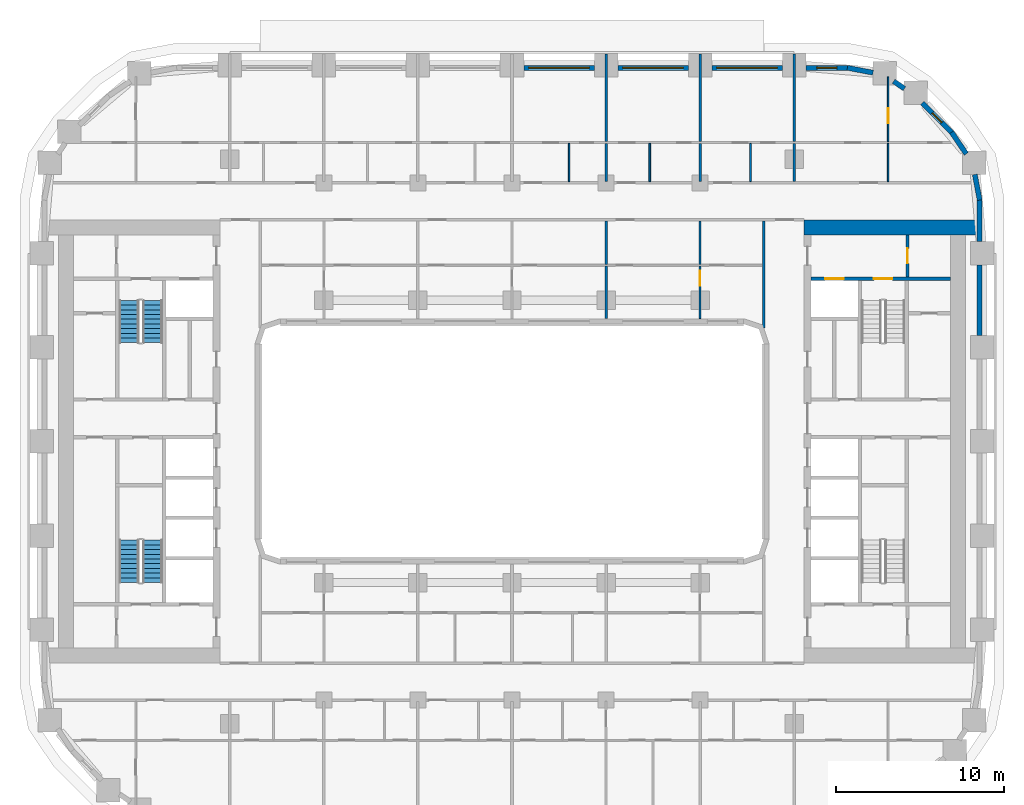
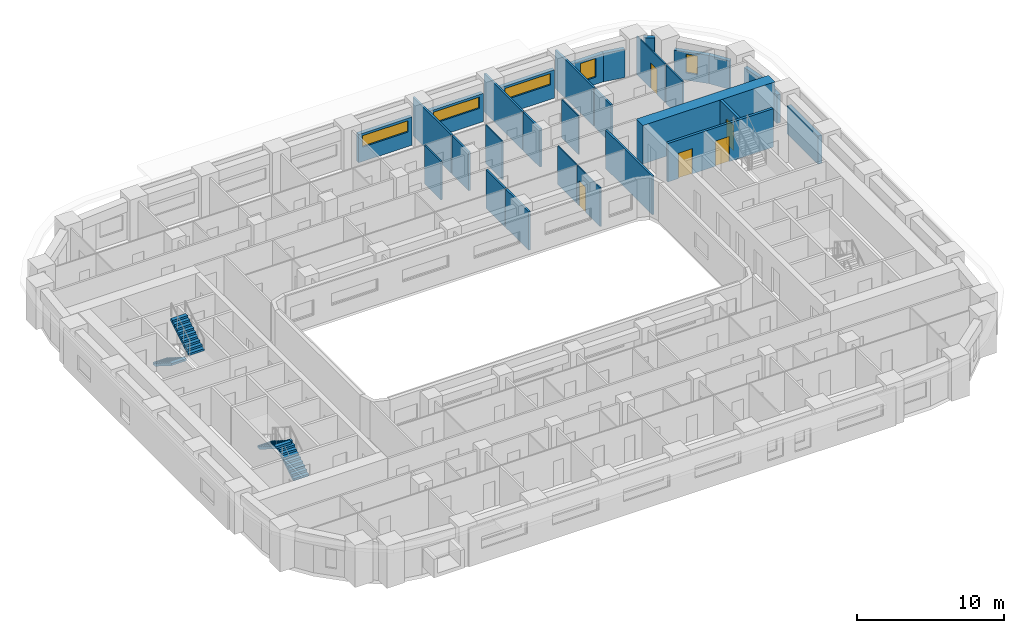
# One storey, part 10 of 22: 30 walls, 5 doors, 5 windows, 4 stair flights, 10 openings, 2 elements without a shape of their own.
"""IFC4 building model written with IfcOpenShell, lengths in metres."""

from ifc_helpers import new_model, si_unit, direction, frame, frame_2d, origin, place, context, subcontext, project, spatial, polyline, rectangle, outline, extrude, material, layer, layer_set, type_object, element, fill, aggregate, save


model = new_model("IFC4")

# Units and contexts
model_context = context("Model", 3, precision=1e-05, world=origin(), true_north=direction((0.0, 1.0)))
body_context = subcontext(model_context, "Body", "Model", "MODEL_VIEW")
ifc_project = project(units=[si_unit("LENGTHUNIT", "METRE"), si_unit("AREAUNIT", "SQUARE_METRE"), si_unit("VOLUMEUNIT", "CUBIC_METRE"), si_unit("PLANEANGLEUNIT", "RADIAN"), si_unit("MASSUNIT", "GRAM", prefix="KILO")], contexts=[model_context])

# Site, building, storey
site_placement = place(None, origin())
site = spatial("IfcSite", under=ifc_project, at=site_placement, CompositionType="ELEMENT")
building_placement = place(site_placement, origin())
building = spatial("IfcBuilding", under=site, at=building_placement, Name="Kiln Ring Residences", CompositionType="ELEMENT")
storey_placement = place(building_placement, frame((0.0, 0.0, 65.5)))
storey = spatial("IfcBuildingStorey", under=building, at=storey_placement, Name="L16", CompositionType="ELEMENT", Elevation=65.5)

# Wall, opening, door
ifc_material_1 = material(Name="Gypsum board on steel studs", Category="steel")
ifc_layer_1 = layer(ifc_material_1, 0.199951171875)
ifc_layer_set_1 = layer_set([ifc_layer_1], Name="CORE-PARTITION-200")
wall_type_1 = type_object("IfcWallType", Name="CORE-PARTITION-200", PredefinedType="PARTITIONING", material=ifc_layer_set_1)
wall_1_placement = place(storey_placement, frame((23.550048828125, 9.800048828125, 0.0), z_axis=(0.0, 0.0, 1.0), x_axis=(0.0, 1.0, 0.0)))
wall_1 = element("IfcWall", 1, at=wall_1_placement, inside=storey, type_object=wall_type_1, Name="Core partition east L16 4", PredefinedType="PARTITIONING", context=body_context, shape_type="SweptSolid", body=[
    extrude(rectangle(XDim=2.5, YDim=0.199951171875, at=frame_2d((1.25, 0.0))), origin(), (0.0, 0.0, 1.0), 3.199951171875),
])
opening_1_placement = place(wall_1_placement, frame((0.800048828125, 0.0, 0.0)))
opening_1 = element("IfcOpeningElement", 2, at=opening_1_placement, cuts=wall_1, Name="Opening L16-CE10", PredefinedType="OPENING", context=body_context, shape_type="SweptSolid", body=[
    extrude(rectangle(XDim=0.89990234375, YDim=2.10009765625, at=frame_2d((0.449951171875, 1.050048828125))), frame((0.0, 0.10986328125, 0.0), z_axis=(0.0, -1.0, 0.0), x_axis=(1.0, 0.0, 0.0)), (0.0, 0.0, 1.0), 0.219970703125),
])
ifc_material_2 = material(Name="Steel door leaf", Category="steel")
door_type_1 = type_object("IfcDoorType", Name="CORE-DOOR-ROOM", OperationType="SINGLE_SWING_LEFT", PredefinedType="DOOR", material=ifc_material_2)
door_1_placement = place(opening_1_placement, origin())
door_1 = element("IfcDoor", 3, at=door_1_placement, inside=storey, type_object=door_type_1, Name="Fire riser room L16-CE10", OperationType="SINGLE_SWING_LEFT", OverallHeight=2.10009765625, OverallWidth=0.89990234375, PredefinedType="DOOR", context=body_context, shape_type="SweptSolid", body=[
    extrude(rectangle(XDim=0.89990234375, YDim=2.10009765625, at=frame_2d((0.449951171875, 1.050048828125))), frame((0.0, 0.02490234375, 0.0), z_axis=(0.0, -1.0, 0.0), x_axis=(1.0, 0.0, 0.0)), (0.0, 0.0, 1.0), 0.050048828125),
])
fill(opening_1, door_1)

# Wall, openings, doors
ifc_material_3 = material(Name="Concrete C40/50", Category="concrete")
ifc_layer_2 = layer(ifc_material_3, 0.199951171875)
ifc_layer_set_2 = layer_set([ifc_layer_2], Name="CORE-WALL-RC200")
wall_type_2 = type_object("IfcWallType", Name="CORE-WALL-RC200", PredefinedType="SHEAR", material=ifc_layer_set_2)
wall_2_placement = place(storey_placement, frame((17.800048828125, 9.699951171875, 0.0), z_axis=(0.0, 0.0, 1.0), x_axis=(1.0, 0.0, 0.0)))
wall_2 = element("IfcWall", 4, at=wall_2_placement, inside=storey, type_object=wall_type_2, Name="Core wall east L16 9", PredefinedType="SHEAR", context=body_context, shape_type="SweptSolid", body=[
    extrude(rectangle(XDim=8.300048828125, YDim=0.199951171875, at=frame_2d((4.14990234375, 0.0))), origin(), (0.0, 0.0, 1.0), 3.199951171875),
])
opening_2_placement = place(wall_2_placement, frame((0.85009765625, 0.0, 0.0)))
opening_2 = element("IfcOpeningElement", 5, at=opening_2_placement, cuts=wall_2, Name="Opening L16-CE07", PredefinedType="OPENING", context=body_context, shape_type="SweptSolid", body=[
    extrude(rectangle(XDim=1.10009765625, YDim=2.10009765625, at=frame_2d((0.550048828125, 1.050048828125))), frame((0.0, 0.10986328125, 0.0), z_axis=(0.0, -1.0, 0.0), x_axis=(1.0, 0.0, 0.0)), (0.0, 0.0, 1.0), 0.219970703125),
])
opening_3_placement = place(wall_2_placement, frame((3.75, 0.0, 0.0)))
opening_3 = element("IfcOpeningElement", 6, at=opening_3_placement, cuts=wall_2, Name="Opening L16-CE12", PredefinedType="OPENING", context=body_context, shape_type="SweptSolid", body=[
    extrude(rectangle(XDim=1.10009765625, YDim=2.10009765625, at=frame_2d((0.550048828125, 1.050048828125))), frame((0.0, 0.10986328125, 0.0), z_axis=(0.0, -1.0, 0.0), x_axis=(1.0, 0.0, 0.0)), (0.0, 0.0, 1.0), 0.219970703125),
])
ifc_material_4 = material(Name="Steel door leaf", Category="steel")
door_type_2 = type_object("IfcDoorType", Name="CORE-DOOR-LD", OperationType="DOUBLE_DOOR_SLIDING", PredefinedType="DOOR", material=ifc_material_4)
door_2_placement = place(opening_2_placement, origin())
door_2 = element("IfcDoor", 7, at=door_2_placement, inside=storey, type_object=door_type_2, Name="LD E-FF L16-CE07", OperationType="DOUBLE_DOOR_SLIDING", OverallHeight=2.10009765625, OverallWidth=1.10009765625, PredefinedType="DOOR", context=body_context, shape_type="SweptSolid", body=[
    extrude(rectangle(XDim=1.10009765625, YDim=2.10009765625, at=frame_2d((0.550048828125, 1.050048828125))), frame((0.0, 0.02490234375, 0.0), z_axis=(0.0, -1.0, 0.0), x_axis=(1.0, 0.0, 0.0)), (0.0, 0.0, 1.0), 0.050048828125),
])
fill(opening_2, door_2)
ifc_material_5 = material(Name="Steel door leaf", Category="steel")
door_type_3 = type_object("IfcDoorType", Name="CORE-DOOR-STAIR", OperationType="SINGLE_SWING_LEFT", PredefinedType="DOOR", material=ifc_material_5)
door_3_placement = place(opening_3_placement, origin())
door_3 = element("IfcDoor", 8, at=door_3_placement, inside=storey, type_object=door_type_3, Name="Stair E-STN L16-CE12", OperationType="SINGLE_SWING_LEFT", OverallHeight=2.10009765625, OverallWidth=1.10009765625, PredefinedType="DOOR", context=body_context, shape_type="SweptSolid", body=[
    extrude(rectangle(XDim=1.10009765625, YDim=2.10009765625, at=frame_2d((0.550048828125, 1.050048828125))), frame((0.0, 0.02490234375, 0.0), z_axis=(0.0, -1.0, 0.0), x_axis=(1.0, 0.0, 0.0)), (0.0, 0.0, 1.0), 0.050048828125),
])
fill(opening_3, door_3)

# Walls
ifc_material_6 = material(Name="Concrete C60/75", Category="concrete")
ifc_layer_3 = layer(ifc_material_6, 0.89990234375)
ifc_layer_set_3 = layer_set([ifc_layer_3], Name="CORE-WALL-RC900")
wall_type_3 = type_object("IfcWallType", Name="CORE-WALL-RC900", PredefinedType="SHEAR", material=ifc_layer_set_3)
wall_3_placement = place(storey_placement, frame((17.39990234375, 12.75, 0.0), z_axis=(0.0, 0.0, 1.0), x_axis=(1.0, 0.0, 0.0)))
element("IfcWall", 9, at=wall_3_placement, inside=storey, type_object=wall_type_3, Name="Core wall east L16 4", PredefinedType="SHEAR", context=body_context, shape_type="SweptSolid", body=[
    extrude(rectangle(XDim=10.400146484375, YDim=0.89990234375, at=frame_2d((5.2001953125, 0.0))), origin(), (0.0, 0.0, 1.0), 3.199951171875),
])
ifc_material_7 = material(Name="Brick masonry, dark clay brick", Category="masonry")
ifc_layer_4 = layer(ifc_material_7, 0.300048828125)
ifc_layer_set_4 = layer_set([ifc_layer_4], Name="EW-300 BRICK WALL")
wall_type_4 = type_object("IfcWallType", Name="EW-300 BRICK WALL", PredefinedType="SOLIDWALL", material=ifc_layer_set_4)
wall_4_placement = place(storey_placement, frame((27.85009765625, 6.300048828125, 0.0), z_axis=(0.0, 0.0, 1.0), x_axis=(0.0, 1.0, 0.0)))
element("IfcWall", 10, at=wall_4_placement, inside=storey, type_object=wall_type_4, Name="Facade wall L16 21", PredefinedType="SOLIDWALL", context=body_context, shape_type="SweptSolid", body=[
    extrude(rectangle(XDim=4.199951171875, YDim=0.300048828125, at=frame_2d((2.10009765625, 0.0))), origin(), (0.0, 0.0, 1.0), 2.35009765625),
])
wall_5_placement = place(storey_placement, frame((27.85009765625, 11.89990234375, 0.0), z_axis=(0.0, 0.0, 1.0), x_axis=(0.0, 1.0, 0.0)))
element("IfcWall", 11, at=wall_5_placement, inside=storey, type_object=wall_type_4, Name="Facade wall L16 22", PredefinedType="SOLIDWALL", context=body_context, shape_type="SweptSolid", body=[
    extrude(rectangle(XDim=2.5, YDim=0.300048828125, at=frame_2d((1.25, 0.0))), origin(), (0.0, 0.0, 1.0), 2.35009765625),
])
for number, where, z_axis, x_axis, name in (
    (12, (27.8525390625, 14.371826171875, 0.0), (0.0, 0.0, 1.0), (-0.187328386968, 0.982297345734, 0.0), "Facade wall L16 23"),
    (13, (27.053466796875, 17.125732421875, 0.0), (0.0, 0.0, 1.0), (-0.56199241657, 0.827142384187, 0.0), "Facade wall L16 24"),
):
    element("IfcWall", number, at=place(storey_placement, frame(where, z_axis=z_axis, x_axis=x_axis)), inside=storey, type_object=wall_type_4, Name=name, PredefinedType="SOLIDWALL", context=body_context, shape_type="SweptSolid", body=[
        extrude(rectangle(XDim=1.55615234375, YDim=0.300048828125, at=frame_2d((0.778076171875, 0.0))), origin(), (0.0, 0.0, 1.0), 2.35009765625),
    ])

# Wall, opening, window
wall_6_placement = place(storey_placement, frame((26.19677734375, 18.390869140625, 0.0), z_axis=(0.0, 0.0, 1.0), x_axis=(-0.707057949532, 0.707155609469, 0.0)))
wall_6 = element("IfcWall", 14, at=wall_6_placement, inside=storey, type_object=wall_type_4, Name="Facade wall L16 25", PredefinedType="SOLIDWALL", context=body_context, shape_type="SweptSolid", body=[
    extrude(rectangle(XDim=2.5, YDim=0.300048828125, at=frame_2d((1.25, 0.0))), origin(), (0.0, 0.0, 1.0), 2.35009765625),
])
opening_4_placement = place(wall_6_placement, frame((0.85009765625, 0.0, 0.60009765625)))
opening_4 = element("IfcOpeningElement", 15, at=opening_4_placement, cuts=wall_6, Name="Opening W5", PredefinedType="OPENING", context=body_context, shape_type="SweptSolid", body=[
    extrude(rectangle(XDim=0.800048828125, YDim=1.550048828125, at=frame_2d((0.39990234375, 0.77490234375))), frame((0.0, 0.159912109375, 0.0), z_axis=(0.0, -1.0, 0.0), x_axis=(1.0, 0.0, 0.0)), (0.0, 0.0, 1.0), 0.320068359375),
])
ifc_material_8 = material(Name="Aluminium frame with double glazing", Category="aluminium")
window_type_1 = type_object("IfcWindowType", Name="WINDOW 800 x 1550", PartitioningType="SINGLE_PANEL", PredefinedType="WINDOW", material=ifc_material_8)
window_1_placement = place(opening_4_placement, origin())
window_1 = element("IfcWindow", 16, at=window_1_placement, inside=storey, type_object=window_type_1, Name="Window L16 12", OverallHeight=1.550048828125, OverallWidth=0.800048828125, PartitioningType="SINGLE_PANEL", PredefinedType="WINDOW", context=body_context, shape_type="SweptSolid", body=[
    extrude(rectangle(XDim=0.800048828125, YDim=1.550048828125, at=frame_2d((0.39990234375, 0.77490234375))), frame((0.0, 0.030029296875, 0.0), z_axis=(0.0, -1.0, 0.0), x_axis=(1.0, 0.0, 0.0)), (0.0, 0.0, 1.0), 0.06005859375),
])
fill(opening_4, window_1)

# Walls
wall_7_placement = place(storey_placement, frame((23.368408203125, 21.016845703125, 0.0), z_axis=(0.0, 0.0, 1.0), x_axis=(-0.827037530089, 0.562146710232, 0.0)))
element("IfcWall", 17, at=wall_7_placement, inside=storey, type_object=wall_type_4, Name="Facade wall L16 26", PredefinedType="SOLIDWALL", context=body_context, shape_type="SweptSolid", body=[
    extrude(rectangle(XDim=0.77685546875, YDim=0.300048828125, at=frame_2d((0.388427734375, 0.0))), origin(), (0.0, 0.0, 1.0), 3.199951171875),
])
wall_8_placement = place(storey_placement, frame((21.50048828125, 21.961181640625, 0.0), z_axis=(0.0, 0.0, 1.0), x_axis=(-0.982297345734, 0.187328386968, 0.0)))
element("IfcWall", 18, at=wall_8_placement, inside=storey, type_object=wall_type_4, Name="Facade wall L16 27", PredefinedType="SOLIDWALL", context=body_context, shape_type="SweptSolid", body=[
    extrude(rectangle(XDim=1.55615234375, YDim=0.300048828125, at=frame_2d((0.778076171875, 0.0))), origin(), (0.0, 0.0, 1.0), 2.35009765625),
])

# Wall, opening, window
wall_9_placement = place(storey_placement, frame((20.0, 22.25, 0.0), z_axis=(0.0, 0.0, 1.0), x_axis=(-1.0, 0.0, 0.0)))
wall_9 = element("IfcWall", 19, at=wall_9_placement, inside=storey, type_object=wall_type_4, Name="Facade wall L16 28", PredefinedType="SOLIDWALL", context=body_context, shape_type="SweptSolid", body=[
    extrude(rectangle(XDim=2.5, YDim=0.300048828125, at=frame_2d((1.25, 0.0))), origin(), (0.0, 0.0, 1.0), 2.35009765625),
])
opening_5_placement = place(wall_9_placement, frame((0.64990234375, 0.0, 0.60009765625)))
opening_5 = element("IfcOpeningElement", 20, at=opening_5_placement, cuts=wall_9, Name="Opening W1", PredefinedType="OPENING", context=body_context, shape_type="SweptSolid", body=[
    extrude(rectangle(XDim=1.199951171875, YDim=1.550048828125, at=frame_2d((0.60009765625, 0.77490234375))), frame((0.0, 0.159912109375, 0.0), z_axis=(0.0, -1.0, 0.0), x_axis=(1.0, 0.0, 0.0)), (0.0, 0.0, 1.0), 0.320068359375),
])
ifc_material_9 = material(Name="Aluminium frame with double glazing", Category="aluminium")
window_type_2 = type_object("IfcWindowType", Name="WINDOW 1200 x 1550", PartitioningType="SINGLE_PANEL", PredefinedType="WINDOW", material=ifc_material_9)
window_2_placement = place(opening_5_placement, origin())
window_2 = element("IfcWindow", 21, at=window_2_placement, inside=storey, type_object=window_type_2, Name="Window L16 13", OverallHeight=1.550048828125, OverallWidth=1.199951171875, PartitioningType="SINGLE_PANEL", PredefinedType="WINDOW", context=body_context, shape_type="SweptSolid", body=[
    extrude(rectangle(XDim=1.199951171875, YDim=1.550048828125, at=frame_2d((0.60009765625, 0.77490234375))), frame((0.0, 0.030029296875, 0.0), z_axis=(0.0, -1.0, 0.0), x_axis=(1.0, 0.0, 0.0)), (0.0, 0.0, 1.0), 0.06005859375),
])
fill(opening_5, window_2)

wall_10_placement = place(storey_placement, frame((16.10009765625, 22.25, 0.0), z_axis=(0.0, 0.0, 1.0), x_axis=(-1.0, 0.0, 0.0)))
wall_10 = element("IfcWall", 22, at=wall_10_placement, inside=storey, type_object=wall_type_4, Name="Facade wall L16 29", PredefinedType="SOLIDWALL", context=body_context, shape_type="SweptSolid", body=[
    extrude(rectangle(XDim=4.2001953125, YDim=0.300048828125, at=frame_2d((2.10009765625, 0.0))), origin(), (0.0, 0.0, 1.0), 2.35009765625),
])
opening_6_placement = place(wall_10_placement, frame((0.300048828125, 0.0, 1.199951171875)))
opening_6 = element("IfcOpeningElement", 23, at=opening_6_placement, cuts=wall_10, Name="Opening W4", PredefinedType="OPENING", context=body_context, shape_type="SweptSolid", body=[
    extrude(rectangle(XDim=3.60009765625, YDim=0.949951171875, at=frame_2d((1.800048828125, 0.47509765625))), frame((0.0, 0.159912109375, 0.0), z_axis=(0.0, -1.0, 0.0), x_axis=(1.0, 0.0, 0.0)), (0.0, 0.0, 1.0), 0.320068359375),
])
ifc_material_10 = material(Name="Aluminium frame with double glazing", Category="aluminium")
window_type_3 = type_object("IfcWindowType", Name="WINDOW 3600 x 950", PartitioningType="SINGLE_PANEL", PredefinedType="WINDOW", material=ifc_material_10)
window_3_placement = place(opening_6_placement, origin())
window_3 = element("IfcWindow", 24, at=window_3_placement, inside=storey, type_object=window_type_3, Name="Window L16 14", OverallHeight=0.949951171875, OverallWidth=3.60009765625, PartitioningType="SINGLE_PANEL", PredefinedType="WINDOW", context=body_context, shape_type="SweptSolid", body=[
    extrude(rectangle(XDim=3.60009765625, YDim=0.949951171875, at=frame_2d((1.800048828125, 0.47509765625))), frame((0.0, 0.030029296875, 0.0), z_axis=(0.0, -1.0, 0.0), x_axis=(1.0, 0.0, 0.0)), (0.0, 0.0, 1.0), 0.06005859375),
])
fill(opening_6, window_3)

wall_11_placement = place(storey_placement, frame((10.5, 22.25, 0.0), z_axis=(0.0, 0.0, 1.0), x_axis=(-1.0, 0.0, 0.0)))
wall_11 = element("IfcWall", 25, at=wall_11_placement, inside=storey, type_object=wall_type_4, Name="Facade wall L16 30", PredefinedType="SOLIDWALL", context=body_context, shape_type="SweptSolid", body=[
    extrude(rectangle(XDim=4.199951171875, YDim=0.300048828125, at=frame_2d((2.10009765625, 0.0))), origin(), (0.0, 0.0, 1.0), 2.35009765625),
])
opening_7_placement = place(wall_11_placement, frame((0.300048828125, 0.0, 1.199951171875)))
opening_7 = element("IfcOpeningElement", 26, at=opening_7_placement, cuts=wall_11, Name="Opening W4", PredefinedType="OPENING", context=body_context, shape_type="SweptSolid", body=[
    extrude(rectangle(XDim=3.60009765625, YDim=0.949951171875, at=frame_2d((1.800048828125, 0.47509765625))), frame((0.0, 0.159912109375, 0.0), z_axis=(0.0, -1.0, 0.0), x_axis=(1.0, 0.0, 0.0)), (0.0, 0.0, 1.0), 0.320068359375),
])
window_4_placement = place(opening_7_placement, origin())
window_4 = element("IfcWindow", 27, at=window_4_placement, inside=storey, type_object=window_type_3, Name="Window L16 15", OverallHeight=0.949951171875, OverallWidth=3.60009765625, PartitioningType="SINGLE_PANEL", PredefinedType="WINDOW", context=body_context, shape_type="SweptSolid", body=[
    extrude(rectangle(XDim=3.60009765625, YDim=0.949951171875, at=frame_2d((1.800048828125, 0.47509765625))), frame((0.0, 0.030029296875, 0.0), z_axis=(0.0, -1.0, 0.0), x_axis=(1.0, 0.0, 0.0)), (0.0, 0.0, 1.0), 0.06005859375),
])
fill(opening_7, window_4)

wall_12_placement = place(storey_placement, frame((4.89990234375, 22.25, 0.0), z_axis=(0.0, 0.0, 1.0), x_axis=(-1.0, 0.0, 0.0)))
wall_12 = element("IfcWall", 28, at=wall_12_placement, inside=storey, type_object=wall_type_4, Name="Facade wall L16 31", PredefinedType="SOLIDWALL", context=body_context, shape_type="SweptSolid", body=[
    extrude(rectangle(XDim=4.199951171875, YDim=0.300048828125, at=frame_2d((2.10009765625, 0.0))), origin(), (0.0, 0.0, 1.0), 2.35009765625),
])
opening_8_placement = place(wall_12_placement, frame((0.300048828125, 0.0, 1.199951171875)))
opening_8 = element("IfcOpeningElement", 29, at=opening_8_placement, cuts=wall_12, Name="Opening W4", PredefinedType="OPENING", context=body_context, shape_type="SweptSolid", body=[
    extrude(rectangle(XDim=3.60009765625, YDim=0.949951171875, at=frame_2d((1.800048828125, 0.47509765625))), frame((0.0, 0.159912109375, 0.0), z_axis=(0.0, -1.0, 0.0), x_axis=(1.0, 0.0, 0.0)), (0.0, 0.0, 1.0), 0.320068359375),
])
window_5_placement = place(opening_8_placement, origin())
window_5 = element("IfcWindow", 30, at=window_5_placement, inside=storey, type_object=window_type_3, Name="Window L16 16", OverallHeight=0.949951171875, OverallWidth=3.60009765625, PartitioningType="SINGLE_PANEL", PredefinedType="WINDOW", context=body_context, shape_type="SweptSolid", body=[
    extrude(rectangle(XDim=3.60009765625, YDim=0.949951171875, at=frame_2d((1.800048828125, 0.47509765625))), frame((0.0, 0.030029296875, 0.0), z_axis=(0.0, -1.0, 0.0), x_axis=(1.0, 0.0, 0.0)), (0.0, 0.0, 1.0), 0.06005859375),
])
fill(opening_8, window_5)

# Walls
ifc_material_11 = material(Name="Gypsum board on steel studs", Category="steel")
ifc_layer_5 = layer(ifc_material_11, 0.10009765625)
ifc_layer_set_5 = layer_set([ifc_layer_5], Name="PARTITION-100")
wall_type_5 = type_object("IfcWallType", Name="PARTITION-100", PredefinedType="PARTITIONING", material=ifc_layer_set_5)
for number, where, z_axis, x_axis, name in (
    (31, (3.39990234375, 15.47509765625, 0.0), (0.0, 0.0, 1.0), (0.0, 1.0, 0.0), "Partition 050"),
    (32, (8.199951171875, 15.47509765625, 0.0), (0.0, 0.0, 1.0), (0.0, 1.0, 0.0), "Partition 060"),
):
    element("IfcWall", number, at=place(storey_placement, frame(where, z_axis=z_axis, x_axis=x_axis)), inside=storey, type_object=wall_type_5, Name=name, PredefinedType="PARTITIONING", context=body_context, shape_type="SweptSolid", body=[
        extrude(rectangle(XDim=2.27490234375, YDim=0.10009765625, at=frame_2d((1.137451171875, 0.0))), origin(), (0.0, 0.0, 1.0), 3.199951171875),
    ])

# Wall, opening, door
wall_13_placement = place(storey_placement, frame((11.199951171875, 7.320068359375, 0.0), z_axis=(0.0, 0.0, 1.0), x_axis=(0.0, 1.0, 0.0)))
wall_13 = element("IfcWall", 33, at=wall_13_placement, inside=storey, type_object=wall_type_5, Name="Partition 064", PredefinedType="PARTITIONING", context=body_context, shape_type="SweptSolid", body=[
    extrude(rectangle(XDim=3.1298828125, YDim=0.10009765625, at=frame_2d((1.56494140625, 0.0))), origin(), (0.0, 0.0, 1.0), 3.199951171875),
])
opening_9_placement = place(wall_13_placement, frame((1.949951171875, 0.0, 0.0)))
opening_9 = element("IfcOpeningElement", 34, at=opening_9_placement, cuts=wall_13, Name="Opening L16-D016", PredefinedType="OPENING", context=body_context, shape_type="SweptSolid", body=[
    extrude(rectangle(XDim=0.89990234375, YDim=2.10009765625, at=frame_2d((0.449951171875, 1.050048828125))), frame((0.0, 0.06005859375, 0.0), z_axis=(0.0, -1.0, 0.0), x_axis=(1.0, 0.0, 0.0)), (0.0, 0.0, 1.0), 0.1201171875),
])
ifc_material_12 = material(Name="Timber door leaf", Category="wood")
door_type_4 = type_object("IfcDoorType", Name="FLAT-DOOR-900-PL", OperationType="SINGLE_SWING_LEFT", PredefinedType="DOOR", material=ifc_material_12)
door_4_placement = place(opening_9_placement, origin())
door_4 = element("IfcDoor", 35, at=door_4_placement, inside=storey, type_object=door_type_4, Name="Door L16-D016", OperationType="SINGLE_SWING_RIGHT", OverallHeight=2.10009765625, OverallWidth=0.89990234375, PredefinedType="DOOR", context=body_context, shape_type="SweptSolid", body=[
    extrude(rectangle(XDim=0.89990234375, YDim=2.10009765625, at=frame_2d((0.449951171875, 1.050048828125))), frame((0.0, 0.02490234375, 0.0), z_axis=(0.0, -1.0, 0.0), x_axis=(1.0, 0.0, 0.0)), (0.0, 0.0, 1.0), 0.050048828125),
])
fill(opening_9, door_4)

# Walls
wall_14_placement = place(storey_placement, frame((11.199951171875, 10.550048828125, 0.0), z_axis=(0.0, 0.0, 1.0), x_axis=(0.0, 1.0, 0.0)))
element("IfcWall", 36, at=wall_14_placement, inside=storey, type_object=wall_type_5, Name="Partition 065", PredefinedType="PARTITIONING", context=body_context, shape_type="SweptSolid", body=[
    extrude(rectangle(XDim=2.574951171875, YDim=0.10009765625, at=frame_2d((1.28759765625, 0.0))), origin(), (0.0, 0.0, 1.0), 3.199951171875),
])
for number, where, z_axis, x_axis, name in (
    (37, (14.199951171875, 15.47509765625, 0.0), (0.0, 0.0, 1.0), (0.0, 1.0, 0.0), "Partition 071"),
    (38, (22.39990234375, 15.47509765625, 0.0), (0.0, 0.0, 1.0), (0.0, 1.0, 0.0), "Partition 080"),
):
    element("IfcWall", number, at=place(storey_placement, frame(where, z_axis=z_axis, x_axis=x_axis)), inside=storey, type_object=wall_type_5, Name=name, PredefinedType="PARTITIONING", context=body_context, shape_type="SweptSolid", body=[
        extrude(rectangle(XDim=2.27490234375, YDim=0.10009765625, at=frame_2d((1.137451171875, 0.0))), origin(), (0.0, 0.0, 1.0), 3.199951171875),
    ])

# Wall, opening, door
wall_15_placement = place(storey_placement, frame((22.39990234375, 17.85009765625, 0.0), z_axis=(0.0, 0.0, 1.0), x_axis=(0.0, 1.0, 0.0)))
wall_15 = element("IfcWall", 39, at=wall_15_placement, inside=storey, type_object=wall_type_5, Name="Partition 081", PredefinedType="PARTITIONING", context=body_context, shape_type="SweptSolid", body=[
    extrude(rectangle(XDim=3.869873046875, YDim=0.10009765625, at=frame_2d((1.93505859375, 0.0))), origin(), (0.0, 0.0, 1.0), 3.199951171875),
])
opening_10_placement = place(wall_15_placement, frame((1.10009765625, 0.0, 0.0)))
opening_10 = element("IfcOpeningElement", 40, at=opening_10_placement, cuts=wall_15, Name="Opening L16-D042", PredefinedType="OPENING", context=body_context, shape_type="SweptSolid", body=[
    extrude(rectangle(XDim=0.89990234375, YDim=2.10009765625, at=frame_2d((0.449951171875, 1.050048828125))), frame((0.0, 0.06005859375, 0.0), z_axis=(0.0, -1.0, 0.0), x_axis=(1.0, 0.0, 0.0)), (0.0, 0.0, 1.0), 0.1201171875),
])
door_5_placement = place(opening_10_placement, origin())
door_5 = element("IfcDoor", 41, at=door_5_placement, inside=storey, type_object=door_type_4, Name="Door L16-D042", OperationType="SINGLE_SWING_LEFT", OverallHeight=2.10009765625, OverallWidth=0.89990234375, PredefinedType="DOOR", context=body_context, shape_type="SweptSolid", body=[
    extrude(rectangle(XDim=0.89990234375, YDim=2.10009765625, at=frame_2d((0.449951171875, 1.050048828125))), frame((0.0, 0.02490234375, 0.0), z_axis=(0.0, -1.0, 0.0), x_axis=(1.0, 0.0, 0.0)), (0.0, 0.0, 1.0), 0.050048828125),
])
fill(opening_10, door_5)

# Walls
ifc_material_13 = material(Name="Brick masonry partition", Category="masonry")
ifc_layer_6 = layer(ifc_material_13, 0.14990234375)
ifc_layer_set_6 = layer_set([ifc_layer_6], Name="PARTITION-150-ei60")
wall_type_6 = type_object("IfcWallType", Name="PARTITION-150-ei60", PredefinedType="PARTITIONING", material=ifc_layer_set_6)
wall_16_placement = place(storey_placement, frame((5.60009765625, 7.320068359375, 0.0), z_axis=(0.0, 0.0, 1.0), x_axis=(0.0, 1.0, 0.0)))
element("IfcWall", 42, at=wall_16_placement, inside=storey, type_object=wall_type_6, Name="Partition 056", PredefinedType="PARTITIONING", context=body_context, shape_type="SweptSolid", body=[
    extrude(rectangle(XDim=3.1298828125, YDim=0.14990234375, at=frame_2d((1.56494140625, 0.0))), origin(), (0.0, 0.0, 1.0), 3.199951171875),
])
wall_17_placement = place(storey_placement, frame((5.60009765625, 10.550048828125, 0.0), z_axis=(0.0, 0.0, 1.0), x_axis=(0.0, 1.0, 0.0)))
element("IfcWall", 43, at=wall_17_placement, inside=storey, type_object=wall_type_6, Name="Partition 057", PredefinedType="PARTITIONING", context=body_context, shape_type="SweptSolid", body=[
    extrude(rectangle(XDim=2.574951171875, YDim=0.14990234375, at=frame_2d((1.28759765625, 0.0))), origin(), (0.0, 0.0, 1.0), 3.199951171875),
])
wall_18_placement = place(storey_placement, frame((5.60009765625, 15.47509765625, 0.0), z_axis=(0.0, 0.0, 1.0), x_axis=(0.0, 1.0, 0.0)))
element("IfcWall", 44, at=wall_18_placement, inside=storey, type_object=wall_type_6, Name="Partition 058", PredefinedType="PARTITIONING", context=body_context, shape_type="SweptSolid", body=[
    extrude(rectangle(XDim=2.27490234375, YDim=0.14990234375, at=frame_2d((1.137451171875, 0.0))), origin(), (0.0, 0.0, 1.0), 3.199951171875),
])
wall_19_placement = place(storey_placement, frame((5.60009765625, 17.85009765625, 0.0), z_axis=(0.0, 0.0, 1.0), x_axis=(0.0, 1.0, 0.0)))
element("IfcWall", 45, at=wall_19_placement, inside=storey, type_object=wall_type_6, Name="Partition 059", PredefinedType="PARTITIONING", context=body_context, shape_type="SweptSolid", body=[
    extrude(rectangle(XDim=5.22998046875, YDim=0.14990234375, at=frame_2d((2.614990234375, 0.0))), origin(), (0.0, 0.0, 1.0), 3.199951171875),
])
wall_20_placement = place(storey_placement, frame((11.199951171875, 15.47509765625, 0.0), z_axis=(0.0, 0.0, 1.0), x_axis=(0.0, 1.0, 0.0)))
element("IfcWall", 46, at=wall_20_placement, inside=storey, type_object=wall_type_6, Name="Partition 068", PredefinedType="PARTITIONING", context=body_context, shape_type="SweptSolid", body=[
    extrude(rectangle(XDim=2.27490234375, YDim=0.14990234375, at=frame_2d((1.137451171875, 0.0))), origin(), (0.0, 0.0, 1.0), 3.199951171875),
])
wall_21_placement = place(storey_placement, frame((11.199951171875, 17.85009765625, 0.0), z_axis=(0.0, 0.0, 1.0), x_axis=(0.0, 1.0, 0.0)))
element("IfcWall", 47, at=wall_21_placement, inside=storey, type_object=wall_type_6, Name="Partition 069", PredefinedType="PARTITIONING", context=body_context, shape_type="SweptSolid", body=[
    extrude(rectangle(XDim=5.22998046875, YDim=0.14990234375, at=frame_2d((2.614990234375, 0.0))), origin(), (0.0, 0.0, 1.0), 3.199951171875),
])
wall_22_placement = place(storey_placement, frame((15.0, 6.768798828125, 0.0), z_axis=(0.0, 0.0, 1.0), x_axis=(0.0, 1.0, 0.0)))
element("IfcWall", 48, at=wall_22_placement, inside=storey, type_object=wall_type_6, Name="Partition 073", PredefinedType="PARTITIONING", context=body_context, shape_type="SweptSolid", body=[
    extrude(rectangle(XDim=6.356201171875, YDim=0.14990234375, at=frame_2d((3.17822265625, 0.0))), origin(), (0.0, 0.0, 1.0), 3.199951171875),
])
wall_23_placement = place(storey_placement, frame((16.800048828125, 15.47509765625, 0.0), z_axis=(0.0, 0.0, 1.0), x_axis=(0.0, 1.0, 0.0)))
element("IfcWall", 49, at=wall_23_placement, inside=storey, type_object=wall_type_6, Name="Partition 076", PredefinedType="PARTITIONING", context=body_context, shape_type="SweptSolid", body=[
    extrude(rectangle(XDim=2.27490234375, YDim=0.14990234375, at=frame_2d((1.137451171875, 0.0))), origin(), (0.0, 0.0, 1.0), 3.199951171875),
])
wall_24_placement = place(storey_placement, frame((16.800048828125, 17.85009765625, 0.0), z_axis=(0.0, 0.0, 1.0), x_axis=(0.0, 1.0, 0.0)))
element("IfcWall", 50, at=wall_24_placement, inside=storey, type_object=wall_type_6, Name="Partition 077", PredefinedType="PARTITIONING", context=body_context, shape_type="SweptSolid", body=[
    extrude(rectangle(XDim=5.22998046875, YDim=0.14990234375, at=frame_2d((2.614990234375, 0.0))), origin(), (0.0, 0.0, 1.0), 3.199951171875),
])

# Stair, stair flights
ifc_material_14 = material(Name="Concrete C40/50", Category="concrete")
stair_type = type_object("IfcStairType", Name="CORE-STAIR", PredefinedType="HALF_TURN_STAIR", material=ifc_material_14)
placement = place(storey_placement, origin())
stair_1 = element("IfcStair", 51, at=placement, inside=storey, type_object=stair_type, Name="L16 stair W-STN", PredefinedType="HALF_TURN_STAIR")
ifc_material_15 = material(Name="Concrete C40/50", Category="concrete")
stair_flight_type = type_object("IfcStairFlightType", Name="CORE-STAIR-FLIGHT", PredefinedType="STRAIGHT", material=ifc_material_15)
stair_flight_1_placement = place(storey_placement, frame((-22.800048828125, 8.39990234375, 0.0), z_axis=(0.0, 0.0, 1.0), x_axis=(0.0, -1.0, 0.0)))
stair_flight_1 = element("IfcStairFlight", 52, at=stair_flight_1_placement, type_object=stair_flight_type, Name="W-STN flight 1", NumberOfRisers=10, NumberOfTreads=9, PredefinedType="STRAIGHT", RiserHeight=0.175, TreadLength=0.28, context=body_context, shape_type="SweptSolid", body=[
    extrude(outline(polyline([(0.0, 0.0), (0.0, 0.175048828125), (0.280029296875, 0.175048828125), (0.280029296875, 0.35009765625), (0.56005859375, 0.35009765625), (0.56005859375, 0.52490234375), (0.840087890625, 0.52490234375), (0.840087890625, 0.699951171875), (1.1201171875, 0.699951171875), (1.1201171875, 0.875), (1.39990234375, 0.875), (1.39990234375, 1.050048828125), (1.679931640625, 1.050048828125), (1.679931640625, 1.22509765625), (1.9599609375, 1.22509765625), (1.9599609375, 1.39990234375), (2.239990234375, 1.39990234375), (2.239990234375, 1.574951171875), (2.52001953125, 1.574951171875), (2.52001953125, 1.75), (2.52001953125, 1.398193359375), (0.28271484375, 0.0), (0.0, 0.0)])), frame((0.0, 0.60009765625, 0.0), z_axis=(0.0, -1.0, 0.0), x_axis=(1.0, 0.0, 0.0)), (0.0, 0.0, 1.0), 1.199951171875),
])
stair_flight_2_placement = place(storey_placement, frame((-21.39990234375, 5.8798828125, 1.75), z_axis=(0.0, 0.0, 1.0), x_axis=(0.0, 1.0, 0.0)))
stair_flight_2 = element("IfcStairFlight", 53, at=stair_flight_2_placement, type_object=stair_flight_type, Name="W-STN flight 2", NumberOfRisers=10, NumberOfTreads=9, PredefinedType="STRAIGHT", RiserHeight=0.175, TreadLength=0.28, context=body_context, shape_type="SweptSolid", body=[
    extrude(outline(polyline([(0.0, 0.0), (0.0, 0.175048828125), (0.280029296875, 0.175048828125), (0.280029296875, 0.35009765625), (0.56005859375, 0.35009765625), (0.56005859375, 0.52490234375), (0.840087890625, 0.52490234375), (0.840087890625, 0.699951171875), (1.1201171875, 0.699951171875), (1.1201171875, 0.875), (1.39990234375, 0.875), (1.39990234375, 1.050048828125), (1.679931640625, 1.050048828125), (1.679931640625, 1.22509765625), (1.9599609375, 1.22509765625), (1.9599609375, 1.39990234375), (2.239990234375, 1.39990234375), (2.239990234375, 1.574951171875), (2.52001953125, 1.574951171875), (2.52001953125, 1.75), (2.52001953125, 1.398193359375), (0.28271484375, 0.0), (0.0, 0.0)])), frame((0.0, 0.60009765625, 0.0), z_axis=(0.0, -1.0, 0.0), x_axis=(1.0, 0.0, 0.0)), (0.0, 0.0, 1.0), 1.199951171875),
])
aggregate(stair_1, [stair_flight_1, stair_flight_2])

stair_2 = element("IfcStair", 54, at=placement, inside=storey, type_object=stair_type, Name="L16 stair W-STS", PredefinedType="HALF_TURN_STAIR")
stair_flight_3_placement = place(storey_placement, frame((-21.39990234375, -8.39990234375, 0.0), z_axis=(0.0, 0.0, 1.0), x_axis=(0.0, 1.0, 0.0)))
stair_flight_3 = element("IfcStairFlight", 55, at=stair_flight_3_placement, type_object=stair_flight_type, Name="W-STS flight 1", NumberOfRisers=10, NumberOfTreads=9, PredefinedType="STRAIGHT", RiserHeight=0.175, TreadLength=0.28, context=body_context, shape_type="SweptSolid", body=[
    extrude(outline(polyline([(0.0, 0.0), (0.0, 0.175048828125), (0.280029296875, 0.175048828125), (0.280029296875, 0.35009765625), (0.56005859375, 0.35009765625), (0.56005859375, 0.52490234375), (0.840087890625, 0.52490234375), (0.840087890625, 0.699951171875), (1.1201171875, 0.699951171875), (1.1201171875, 0.875), (1.39990234375, 0.875), (1.39990234375, 1.050048828125), (1.679931640625, 1.050048828125), (1.679931640625, 1.22509765625), (1.9599609375, 1.22509765625), (1.9599609375, 1.39990234375), (2.239990234375, 1.39990234375), (2.239990234375, 1.574951171875), (2.52001953125, 1.574951171875), (2.52001953125, 1.75), (2.52001953125, 1.398193359375), (0.28271484375, 0.0), (0.0, 0.0)])), frame((0.0, 0.60009765625, 0.0), z_axis=(0.0, -1.0, 0.0), x_axis=(1.0, 0.0, 0.0)), (0.0, 0.0, 1.0), 1.199951171875),
])
stair_flight_4_placement = place(storey_placement, frame((-22.800048828125, -5.8798828125, 1.75), z_axis=(0.0, 0.0, 1.0), x_axis=(0.0, -1.0, 0.0)))
stair_flight_4 = element("IfcStairFlight", 56, at=stair_flight_4_placement, type_object=stair_flight_type, Name="W-STS flight 2", NumberOfRisers=10, NumberOfTreads=9, PredefinedType="STRAIGHT", RiserHeight=0.175, TreadLength=0.28, context=body_context, shape_type="SweptSolid", body=[
    extrude(outline(polyline([(0.0, 0.0), (0.0, 0.175048828125), (0.280029296875, 0.175048828125), (0.280029296875, 0.35009765625), (0.56005859375, 0.35009765625), (0.56005859375, 0.52490234375), (0.840087890625, 0.52490234375), (0.840087890625, 0.699951171875), (1.1201171875, 0.699951171875), (1.1201171875, 0.875), (1.39990234375, 0.875), (1.39990234375, 1.050048828125), (1.679931640625, 1.050048828125), (1.679931640625, 1.22509765625), (1.9599609375, 1.22509765625), (1.9599609375, 1.39990234375), (2.239990234375, 1.39990234375), (2.239990234375, 1.574951171875), (2.52001953125, 1.574951171875), (2.52001953125, 1.75), (2.52001953125, 1.398193359375), (0.28271484375, 0.0), (0.0, 0.0)])), frame((0.0, 0.60009765625, 0.0), z_axis=(0.0, -1.0, 0.0), x_axis=(1.0, 0.0, 0.0)), (0.0, 0.0, 1.0), 1.199951171875),
])
aggregate(stair_2, [stair_flight_3, stair_flight_4])

save(model, "model.ifc")
